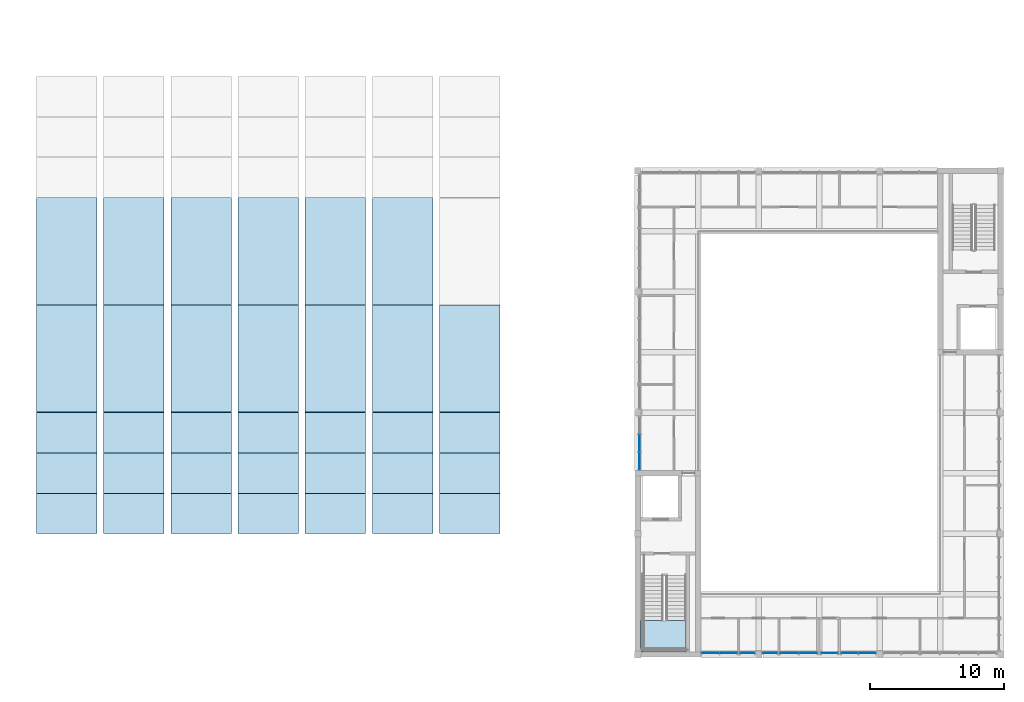
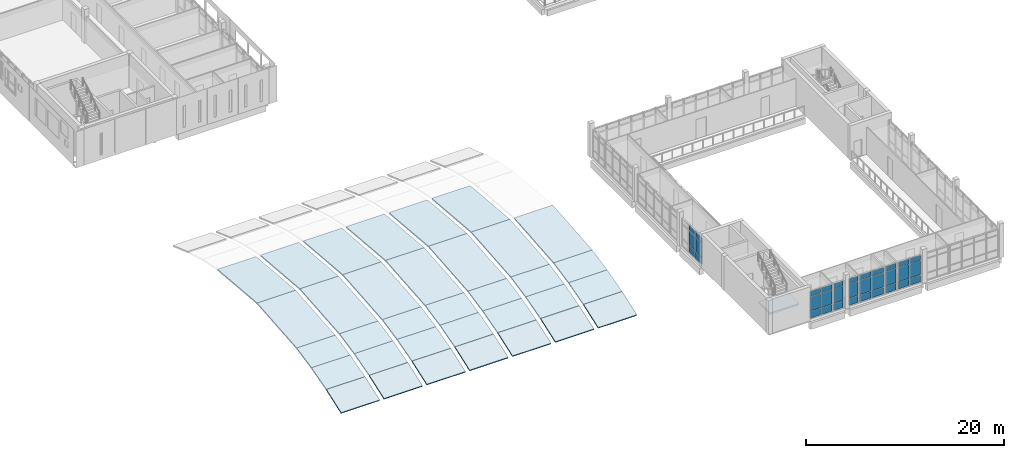
# One storey, part 30 of 74: 35 slabs, 33 plates, 8 elements without a shape of their own.
"""IFC4 building model written with IfcOpenShell, lengths in metres."""

from ifc_helpers import new_model, si_unit, direction, frame, origin, origin_2d, place, context, subcontext, project, spatial, polyline, rectangle, outline, extrude, material, layer, layer_set, type_object, element, aggregate, save


model = new_model("IFC4")

# Units and contexts
model_context = context("Model", 3, precision=1e-05, world=origin(), true_north=direction((0.0, 1.0)))
body_context = subcontext(model_context, "Body", "Model", "MODEL_VIEW")
ifc_project = project(units=[si_unit("LENGTHUNIT", "METRE"), si_unit("AREAUNIT", "SQUARE_METRE"), si_unit("VOLUMEUNIT", "CUBIC_METRE"), si_unit("PLANEANGLEUNIT", "RADIAN"), si_unit("MASSUNIT", "GRAM", prefix="KILO")], contexts=[model_context])

# Site, building, storey
site_placement = place(None, origin())
site = spatial("IfcSite", under=ifc_project, at=site_placement, CompositionType="ELEMENT")
building_placement = place(site_placement, origin())
building = spatial("IfcBuilding", under=site, at=building_placement, Name="Merrow Basin Faculty of Sciences", CompositionType="ELEMENT")
storey_placement = place(building_placement, frame((0.0, 0.0, 13.5)))
storey = spatial("IfcBuildingStorey", under=building, at=storey_placement, Name="L03", CompositionType="ELEMENT", Elevation=13.5)

# Curtain wall, plates
ifc_material_1 = material(Name="Aluminium alloy 6063", Category="aluminium")
curtain_wall_type = type_object("IfcCurtainWallType", Name="Atrium unitised curtain wall 240", PredefinedType="NOTDEFINED", material=ifc_material_1)
curtain_wall_1_placement = place(storey_placement, origin())
curtain_wall_1 = element("IfcCurtainWall", 1, at=curtain_wall_1_placement, inside=storey, type_object=curtain_wall_type, Name="W curtain wall L03 1", PredefinedType="NOTDEFINED")
ifc_material_2 = material(Name="Low-E double glazing", Category="glass")
ifc_layer_1 = layer(ifc_material_2, 0.031982421875)
ifc_layer_set_1 = layer_set([ifc_layer_1], Name="Acoustic double glazed panel 32")
plate_type_1 = type_object("IfcPlateType", Name="Acoustic double glazed panel 32", PredefinedType="CURTAIN_PANEL", material=ifc_layer_set_1)
plate_1_placement = place(storey_placement, frame((45.1201171875, 14.389892578125, 0.93017578125), z_axis=(0.0, 0.0, 1.0), x_axis=(0.0, 1.0, 0.0)))
plate_1 = element("IfcPlate", 2, at=plate_1_placement, type_object=plate_type_1, Name="CW5 panel 1.2", PredefinedType="CURTAIN_PANEL", context=body_context, shape_type="SweptSolid", body=[
    extrude(rectangle(XDim=1.260009765625, YDim=0.031982421875, at=origin_2d()), origin(), (0.0, 0.0, 1.0), 1.739990234375),
])
plate_2_placement = place(storey_placement, frame((45.1201171875, 14.389892578125, 2.72998046875), z_axis=(0.0, 0.0, 1.0), x_axis=(0.0, 1.0, 0.0)))
plate_2 = element("IfcPlate", 3, at=plate_2_placement, type_object=plate_type_1, Name="CW5 panel 1.3", PredefinedType="CURTAIN_PANEL", context=body_context, shape_type="SweptSolid", body=[
    extrude(rectangle(XDim=1.260009765625, YDim=0.031982421875, at=origin_2d()), origin(), (0.0, 0.0, 1.0), 0.610107421875),
])
plate_3_placement = place(storey_placement, frame((45.1201171875, 15.72509765625, 0.93017578125), z_axis=(0.0, 0.0, 1.0), x_axis=(0.0, 1.0, 0.0)))
plate_3 = element("IfcPlate", 4, at=plate_3_placement, type_object=plate_type_1, Name="CW5 panel 2.2", PredefinedType="CURTAIN_PANEL", context=body_context, shape_type="SweptSolid", body=[
    extrude(rectangle(XDim=1.2900390625, YDim=0.031982421875, at=origin_2d()), origin(), (0.0, 0.0, 1.0), 1.739990234375),
])
plate_4_placement = place(storey_placement, frame((45.1201171875, 15.72509765625, 2.72998046875), z_axis=(0.0, 0.0, 1.0), x_axis=(0.0, 1.0, 0.0)))
plate_4 = element("IfcPlate", 5, at=plate_4_placement, type_object=plate_type_1, Name="CW5 panel 2.3", PredefinedType="CURTAIN_PANEL", context=body_context, shape_type="SweptSolid", body=[
    extrude(rectangle(XDim=1.2900390625, YDim=0.031982421875, at=origin_2d()), origin(), (0.0, 0.0, 1.0), 0.610107421875),
])

curtain_wall_2_placement = place(storey_placement, origin())
curtain_wall_2 = element("IfcCurtainWall", 6, at=curtain_wall_2_placement, inside=storey, type_object=curtain_wall_type, Name="S curtain wall L03 1", PredefinedType="NOTDEFINED")
plate_5_placement = place(storey_placement, frame((50.402587890625, 0.1201171875, 0.93017578125), z_axis=(0.0, 0.0, 1.0), x_axis=(1.0, 0.0, 0.0)))
plate_5 = element("IfcPlate", 7, at=plate_5_placement, type_object=plate_type_1, Name="CW5 panel 1.2", PredefinedType="CURTAIN_PANEL", context=body_context, shape_type="SweptSolid", body=[
    extrude(rectangle(XDim=1.284912109375, YDim=0.031982421875, at=origin_2d()), origin(), (0.0, 0.0, 1.0), 1.739990234375),
])
plate_6_placement = place(storey_placement, frame((50.402587890625, 0.1201171875, 2.72998046875), z_axis=(0.0, 0.0, 1.0), x_axis=(1.0, 0.0, 0.0)))
plate_6 = element("IfcPlate", 8, at=plate_6_placement, type_object=plate_type_1, Name="CW5 panel 1.3", PredefinedType="CURTAIN_PANEL", context=body_context, shape_type="SweptSolid", body=[
    extrude(rectangle(XDim=1.284912109375, YDim=0.031982421875, at=origin_2d()), origin(), (0.0, 0.0, 1.0), 0.610107421875),
])
plate_7_placement = place(storey_placement, frame((51.74755859375, 0.1201171875, 0.93017578125), z_axis=(0.0, 0.0, 1.0), x_axis=(1.0, 0.0, 0.0)))
plate_7 = element("IfcPlate", 9, at=plate_7_placement, type_object=plate_type_1, Name="CW5 panel 2.2", PredefinedType="CURTAIN_PANEL", context=body_context, shape_type="SweptSolid", body=[
    extrude(rectangle(XDim=1.284912109375, YDim=0.031982421875, at=origin_2d()), origin(), (0.0, 0.0, 1.0), 1.739990234375),
])
plate_8_placement = place(storey_placement, frame((51.74755859375, 0.1201171875, 2.72998046875), z_axis=(0.0, 0.0, 1.0), x_axis=(1.0, 0.0, 0.0)))
plate_8 = element("IfcPlate", 10, at=plate_8_placement, type_object=plate_type_1, Name="CW5 panel 2.3", PredefinedType="CURTAIN_PANEL", context=body_context, shape_type="SweptSolid", body=[
    extrude(rectangle(XDim=1.284912109375, YDim=0.031982421875, at=origin_2d()), origin(), (0.0, 0.0, 1.0), 0.610107421875),
])

curtain_wall_3_placement = place(storey_placement, origin())
curtain_wall_3 = element("IfcCurtainWall", 11, at=curtain_wall_3_placement, inside=storey, type_object=curtain_wall_type, Name="S curtain wall L03 2", PredefinedType="NOTDEFINED")
plate_9_placement = place(storey_placement, frame((53.14990234375, 0.1201171875, 0.93017578125), z_axis=(0.0, 0.0, 1.0), x_axis=(1.0, 0.0, 0.0)))
plate_9 = element("IfcPlate", 12, at=plate_9_placement, type_object=plate_type_1, Name="CW5 panel 1.2", PredefinedType="CURTAIN_PANEL", context=body_context, shape_type="SweptSolid", body=[
    extrude(rectangle(XDim=1.080078125, YDim=0.031982421875, at=origin_2d()), origin(), (0.0, 0.0, 1.0), 1.739990234375),
])
plate_10_placement = place(storey_placement, frame((53.14990234375, 0.1201171875, 2.72998046875), z_axis=(0.0, 0.0, 1.0), x_axis=(1.0, 0.0, 0.0)))
plate_10 = element("IfcPlate", 13, at=plate_10_placement, type_object=plate_type_1, Name="CW5 panel 1.3", PredefinedType="CURTAIN_PANEL", context=body_context, shape_type="SweptSolid", body=[
    extrude(rectangle(XDim=1.080078125, YDim=0.031982421875, at=origin_2d()), origin(), (0.0, 0.0, 1.0), 0.610107421875),
])

curtain_wall_4_placement = place(storey_placement, origin())
curtain_wall_4 = element("IfcCurtainWall", 14, at=curtain_wall_4_placement, inside=storey, type_object=curtain_wall_type, Name="S curtain wall L03 3", PredefinedType="NOTDEFINED")
plate_11_placement = place(storey_placement, frame((54.85009765625, 0.1201171875, 0.93017578125), z_axis=(0.0, 0.0, 1.0), x_axis=(1.0, 0.0, 0.0)))
plate_11 = element("IfcPlate", 15, at=plate_11_placement, type_object=plate_type_1, Name="CW5 panel 1.2", PredefinedType="CURTAIN_PANEL", context=body_context, shape_type="SweptSolid", body=[
    extrude(rectangle(XDim=1.080078125, YDim=0.031982421875, at=origin_2d()), origin(), (0.0, 0.0, 1.0), 1.739990234375),
])
plate_12_placement = place(storey_placement, frame((54.85009765625, 0.1201171875, 2.72998046875), z_axis=(0.0, 0.0, 1.0), x_axis=(1.0, 0.0, 0.0)))
plate_12 = element("IfcPlate", 16, at=plate_12_placement, type_object=plate_type_1, Name="CW5 panel 1.3", PredefinedType="CURTAIN_PANEL", context=body_context, shape_type="SweptSolid", body=[
    extrude(rectangle(XDim=1.080078125, YDim=0.031982421875, at=origin_2d()), origin(), (0.0, 0.0, 1.0), 0.610107421875),
])

curtain_wall_5_placement = place(storey_placement, origin())
curtain_wall_5 = element("IfcCurtainWall", 17, at=curtain_wall_5_placement, inside=storey, type_object=curtain_wall_type, Name="S curtain wall L03 4", PredefinedType="NOTDEFINED")
plate_13_placement = place(storey_placement, frame((56.28369140625, 0.1201171875, 0.93017578125), z_axis=(0.0, 0.0, 1.0), x_axis=(1.0, 0.0, 0.0)))
plate_13 = element("IfcPlate", 18, at=plate_13_placement, type_object=plate_type_1, Name="CW5 panel 1.2", PredefinedType="CURTAIN_PANEL", context=body_context, shape_type="SweptSolid", body=[
    extrude(rectangle(XDim=1.347412109375, YDim=0.031982421875, at=origin_2d()), origin(), (0.0, 0.0, 1.0), 1.739990234375),
])
plate_14_placement = place(storey_placement, frame((56.28369140625, 0.1201171875, 2.72998046875), z_axis=(0.0, 0.0, 1.0), x_axis=(1.0, 0.0, 0.0)))
plate_14 = element("IfcPlate", 19, at=plate_14_placement, type_object=plate_type_1, Name="CW5 panel 1.3", PredefinedType="CURTAIN_PANEL", context=body_context, shape_type="SweptSolid", body=[
    extrude(rectangle(XDim=1.347412109375, YDim=0.031982421875, at=origin_2d()), origin(), (0.0, 0.0, 1.0), 0.610107421875),
])
plate_15_placement = place(storey_placement, frame((57.691162109375, 0.1201171875, 0.93017578125), z_axis=(0.0, 0.0, 1.0), x_axis=(1.0, 0.0, 0.0)))
plate_15 = element("IfcPlate", 20, at=plate_15_placement, type_object=plate_type_1, Name="CW5 panel 2.2", PredefinedType="CURTAIN_PANEL", context=body_context, shape_type="SweptSolid", body=[
    extrude(rectangle(XDim=1.347412109375, YDim=0.031982421875, at=origin_2d()), origin(), (0.0, 0.0, 1.0), 1.739990234375),
])
plate_16_placement = place(storey_placement, frame((57.691162109375, 0.1201171875, 2.72998046875), z_axis=(0.0, 0.0, 1.0), x_axis=(1.0, 0.0, 0.0)))
plate_16 = element("IfcPlate", 21, at=plate_16_placement, type_object=plate_type_1, Name="CW5 panel 2.3", PredefinedType="CURTAIN_PANEL", context=body_context, shape_type="SweptSolid", body=[
    extrude(rectangle(XDim=1.347412109375, YDim=0.031982421875, at=origin_2d()), origin(), (0.0, 0.0, 1.0), 0.610107421875),
])

curtain_wall_6_placement = place(storey_placement, origin())
curtain_wall_6 = element("IfcCurtainWall", 22, at=curtain_wall_6_placement, inside=storey, type_object=curtain_wall_type, Name="S curtain wall L03 5", PredefinedType="NOTDEFINED")
plate_17_placement = place(storey_placement, frame((59.25, 0.1201171875, 0.93017578125), z_axis=(0.0, 0.0, 1.0), x_axis=(1.0, 0.0, 0.0)))
plate_17 = element("IfcPlate", 23, at=plate_17_placement, type_object=plate_type_1, Name="CW5 panel 1.2", PredefinedType="CURTAIN_PANEL", context=body_context, shape_type="SweptSolid", body=[
    extrude(rectangle(XDim=1.22998046875, YDim=0.031982421875, at=origin_2d()), origin(), (0.0, 0.0, 1.0), 1.739990234375),
])
plate_18_placement = place(storey_placement, frame((59.25, 0.1201171875, 2.72998046875), z_axis=(0.0, 0.0, 1.0), x_axis=(1.0, 0.0, 0.0)))
plate_18 = element("IfcPlate", 24, at=plate_18_placement, type_object=plate_type_1, Name="CW5 panel 1.3", PredefinedType="CURTAIN_PANEL", context=body_context, shape_type="SweptSolid", body=[
    extrude(rectangle(XDim=1.22998046875, YDim=0.031982421875, at=origin_2d()), origin(), (0.0, 0.0, 1.0), 0.610107421875),
])

curtain_wall_7_placement = place(storey_placement, origin())
curtain_wall_7 = element("IfcCurtainWall", 25, at=curtain_wall_7_placement, inside=storey, type_object=curtain_wall_type, Name="S curtain wall L03 6", PredefinedType="NOTDEFINED")
plate_19_placement = place(storey_placement, frame((60.7587890625, 0.1201171875, 0.93017578125), z_axis=(0.0, 0.0, 1.0), x_axis=(1.0, 0.0, 0.0)))
plate_19 = element("IfcPlate", 26, at=plate_19_placement, type_object=plate_type_1, Name="CW5 panel 1.2", PredefinedType="CURTAIN_PANEL", context=body_context, shape_type="SweptSolid", body=[
    extrude(rectangle(XDim=1.24755859375, YDim=0.031982421875, at=origin_2d()), origin(), (0.0, 0.0, 1.0), 1.739990234375),
])
plate_20_placement = place(storey_placement, frame((60.7587890625, 0.1201171875, 2.72998046875), z_axis=(0.0, 0.0, 1.0), x_axis=(1.0, 0.0, 0.0)))
plate_20 = element("IfcPlate", 27, at=plate_20_placement, type_object=plate_type_1, Name="CW5 panel 1.3", PredefinedType="CURTAIN_PANEL", context=body_context, shape_type="SweptSolid", body=[
    extrude(rectangle(XDim=1.24755859375, YDim=0.031982421875, at=origin_2d()), origin(), (0.0, 0.0, 1.0), 0.610107421875),
])
plate_21_placement = place(storey_placement, frame((62.066162109375, 0.1201171875, 0.93017578125), z_axis=(0.0, 0.0, 1.0), x_axis=(1.0, 0.0, 0.0)))
plate_21 = element("IfcPlate", 28, at=plate_21_placement, type_object=plate_type_1, Name="CW5 panel 2.2", PredefinedType="CURTAIN_PANEL", context=body_context, shape_type="SweptSolid", body=[
    extrude(rectangle(XDim=1.24755859375, YDim=0.031982421875, at=origin_2d()), origin(), (0.0, 0.0, 1.0), 1.739990234375),
])
plate_22_placement = place(storey_placement, frame((62.066162109375, 0.1201171875, 2.72998046875), z_axis=(0.0, 0.0, 1.0), x_axis=(1.0, 0.0, 0.0)))
plate_22 = element("IfcPlate", 29, at=plate_22_placement, type_object=plate_type_1, Name="CW5 panel 2.3", PredefinedType="CURTAIN_PANEL", context=body_context, shape_type="SweptSolid", body=[
    extrude(rectangle(XDim=1.24755859375, YDim=0.031982421875, at=origin_2d()), origin(), (0.0, 0.0, 1.0), 0.610107421875),
])

# Plate
ifc_material_3 = material(Name="Insulated aluminium spandrel panel", Category="aluminium")
ifc_layer_2 = layer(ifc_material_3, 0.052001953125)
ifc_layer_set_2 = layer_set([ifc_layer_2], Name="Insulated spandrel panel 52")
plate_type_2 = type_object("IfcPlateType", Name="Insulated spandrel panel 52", PredefinedType="CURTAIN_PANEL", material=ifc_layer_set_2)
plate_23_placement = place(storey_placement, frame((45.1201171875, 14.389892578125, 0.06005859375), z_axis=(0.0, 0.0, 1.0), x_axis=(0.0, 1.0, 0.0)))
plate_23 = element("IfcPlate", 30, at=plate_23_placement, type_object=plate_type_2, Name="CW5 panel 1.1", PredefinedType="CURTAIN_PANEL", context=body_context, shape_type="SweptSolid", body=[
    extrude(rectangle(XDim=1.260009765625, YDim=0.052001953125, at=origin_2d()), origin(), (0.0, 0.0, 1.0), 0.81005859375),
])

plate_24_placement = place(storey_placement, frame((45.1201171875, 15.72509765625, 0.06005859375), z_axis=(0.0, 0.0, 1.0), x_axis=(0.0, 1.0, 0.0)))
plate_24 = element("IfcPlate", 31, at=plate_24_placement, type_object=plate_type_2, Name="CW5 panel 2.1", PredefinedType="CURTAIN_PANEL", context=body_context, shape_type="SweptSolid", body=[
    extrude(rectangle(XDim=1.2900390625, YDim=0.052001953125, at=origin_2d()), origin(), (0.0, 0.0, 1.0), 0.81005859375),
])

aggregate(curtain_wall_1, [plate_23, plate_1, plate_2, plate_24, plate_3, plate_4])

plate_25_placement = place(storey_placement, frame((50.402587890625, 0.1201171875, 0.06005859375), z_axis=(0.0, 0.0, 1.0), x_axis=(1.0, 0.0, 0.0)))
plate_25 = element("IfcPlate", 32, at=plate_25_placement, type_object=plate_type_2, Name="CW5 panel 1.1", PredefinedType="CURTAIN_PANEL", context=body_context, shape_type="SweptSolid", body=[
    extrude(rectangle(XDim=1.284912109375, YDim=0.052001953125, at=origin_2d()), origin(), (0.0, 0.0, 1.0), 0.81005859375),
])

plate_26_placement = place(storey_placement, frame((51.74755859375, 0.1201171875, 0.06005859375), z_axis=(0.0, 0.0, 1.0), x_axis=(1.0, 0.0, 0.0)))
plate_26 = element("IfcPlate", 33, at=plate_26_placement, type_object=plate_type_2, Name="CW5 panel 2.1", PredefinedType="CURTAIN_PANEL", context=body_context, shape_type="SweptSolid", body=[
    extrude(rectangle(XDim=1.284912109375, YDim=0.052001953125, at=origin_2d()), origin(), (0.0, 0.0, 1.0), 0.81005859375),
])

aggregate(curtain_wall_2, [plate_25, plate_5, plate_6, plate_26, plate_7, plate_8])

plate_27_placement = place(storey_placement, frame((53.14990234375, 0.1201171875, 0.06005859375), z_axis=(0.0, 0.0, 1.0), x_axis=(1.0, 0.0, 0.0)))
plate_27 = element("IfcPlate", 34, at=plate_27_placement, type_object=plate_type_2, Name="CW5 panel 1.1", PredefinedType="CURTAIN_PANEL", context=body_context, shape_type="SweptSolid", body=[
    extrude(rectangle(XDim=1.080078125, YDim=0.052001953125, at=origin_2d()), origin(), (0.0, 0.0, 1.0), 0.81005859375),
])

aggregate(curtain_wall_3, [plate_27, plate_9, plate_10])

plate_28_placement = place(storey_placement, frame((54.85009765625, 0.1201171875, 0.06005859375), z_axis=(0.0, 0.0, 1.0), x_axis=(1.0, 0.0, 0.0)))
plate_28 = element("IfcPlate", 35, at=plate_28_placement, type_object=plate_type_2, Name="CW5 panel 1.1", PredefinedType="CURTAIN_PANEL", context=body_context, shape_type="SweptSolid", body=[
    extrude(rectangle(XDim=1.080078125, YDim=0.052001953125, at=origin_2d()), origin(), (0.0, 0.0, 1.0), 0.81005859375),
])

aggregate(curtain_wall_4, [plate_28, plate_11, plate_12])

plate_29_placement = place(storey_placement, frame((56.28369140625, 0.1201171875, 0.06005859375), z_axis=(0.0, 0.0, 1.0), x_axis=(1.0, 0.0, 0.0)))
plate_29 = element("IfcPlate", 36, at=plate_29_placement, type_object=plate_type_2, Name="CW5 panel 1.1", PredefinedType="CURTAIN_PANEL", context=body_context, shape_type="SweptSolid", body=[
    extrude(rectangle(XDim=1.347412109375, YDim=0.052001953125, at=origin_2d()), origin(), (0.0, 0.0, 1.0), 0.81005859375),
])

plate_30_placement = place(storey_placement, frame((57.691162109375, 0.1201171875, 0.06005859375), z_axis=(0.0, 0.0, 1.0), x_axis=(1.0, 0.0, 0.0)))
plate_30 = element("IfcPlate", 37, at=plate_30_placement, type_object=plate_type_2, Name="CW5 panel 2.1", PredefinedType="CURTAIN_PANEL", context=body_context, shape_type="SweptSolid", body=[
    extrude(rectangle(XDim=1.347412109375, YDim=0.052001953125, at=origin_2d()), origin(), (0.0, 0.0, 1.0), 0.81005859375),
])

aggregate(curtain_wall_5, [plate_29, plate_13, plate_14, plate_30, plate_15, plate_16])

plate_31_placement = place(storey_placement, frame((59.25, 0.1201171875, 0.06005859375), z_axis=(0.0, 0.0, 1.0), x_axis=(1.0, 0.0, 0.0)))
plate_31 = element("IfcPlate", 38, at=plate_31_placement, type_object=plate_type_2, Name="CW5 panel 1.1", PredefinedType="CURTAIN_PANEL", context=body_context, shape_type="SweptSolid", body=[
    extrude(rectangle(XDim=1.22998046875, YDim=0.052001953125, at=origin_2d()), origin(), (0.0, 0.0, 1.0), 0.81005859375),
])

aggregate(curtain_wall_6, [plate_31, plate_17, plate_18])

plate_32_placement = place(storey_placement, frame((60.7587890625, 0.1201171875, 0.06005859375), z_axis=(0.0, 0.0, 1.0), x_axis=(1.0, 0.0, 0.0)))
plate_32 = element("IfcPlate", 39, at=plate_32_placement, type_object=plate_type_2, Name="CW5 panel 1.1", PredefinedType="CURTAIN_PANEL", context=body_context, shape_type="SweptSolid", body=[
    extrude(rectangle(XDim=1.24755859375, YDim=0.052001953125, at=origin_2d()), origin(), (0.0, 0.0, 1.0), 0.81005859375),
])

plate_33_placement = place(storey_placement, frame((62.066162109375, 0.1201171875, 0.06005859375), z_axis=(0.0, 0.0, 1.0), x_axis=(1.0, 0.0, 0.0)))
plate_33 = element("IfcPlate", 40, at=plate_33_placement, type_object=plate_type_2, Name="CW5 panel 2.1", PredefinedType="CURTAIN_PANEL", context=body_context, shape_type="SweptSolid", body=[
    extrude(rectangle(XDim=1.24755859375, YDim=0.052001953125, at=origin_2d()), origin(), (0.0, 0.0, 1.0), 0.81005859375),
])

aggregate(curtain_wall_7, [plate_32, plate_19, plate_20, plate_33, plate_21, plate_22])

# Slabs
ifc_material_4 = material(Name="Concrete C50/60", Category="concrete")
ifc_layer_3 = layer(ifc_material_4, 0.14990234375)
ifc_layer_set_3 = layer_set([ifc_layer_3], Name="Shell strip 150 Concrete C50/60")
slab_type_1 = type_object("IfcSlabType", Name="Shell strip 150 Concrete C50/60", PredefinedType="ROOF", material=ifc_layer_set_3)
slab_1_placement = place(storey_placement, frame((0.25, 9.0, 0.36962890625), z_axis=(0.0, -0.334256016582, 0.942482315685), x_axis=(1.0, 0.0, 0.0)))
element("IfcSlab", 41, at=slab_1_placement, inside=storey, type_object=slab_type_1, Name="Shell strip 1.4", PredefinedType="ROOF", context=body_context, shape_type="SweptSolid", body=[
    extrude(outline(polyline([(0.0, 0.0), (4.5, 0.0), (4.5, 3.183083597509805), (0.0, 3.183083597509805), (0.0, 0.0)])), origin(), (0.0, 0.0, -1.0), 0.14990234375),
])
slab_2_placement = place(storey_placement, frame((0.25, 12.0, 1.43359375), z_axis=(0.0, -0.269583416439, 0.962977041046), x_axis=(1.0, 0.0, 0.0)))
element("IfcSlab", 42, at=slab_2_placement, inside=storey, type_object=slab_type_1, Name="Shell strip 1.5", PredefinedType="ROOF", context=body_context, shape_type="SweptSolid", body=[
    extrude(outline(polyline([(0.0, 0.0), (4.5, 0.0), (4.5, 3.1153390705369555), (0.0, 3.1153390705369555), (0.0, 0.0)])), origin(), (0.0, 0.0, -1.0), 0.14990234375),
])
slab_3_placement = place(storey_placement, frame((0.25, 15.0, 2.2734375), z_axis=(0.0, -0.204870252821, 0.978789139452), x_axis=(1.0, 0.0, 0.0)))
element("IfcSlab", 43, at=slab_3_placement, inside=storey, type_object=slab_type_1, Name="Shell strip 1.6", PredefinedType="ROOF", context=body_context, shape_type="SweptSolid", body=[
    extrude(outline(polyline([(0.0, 0.0), (4.5, 0.0), (4.5, 3.065011532187741), (0.0, 3.065011532187741), (0.0, 0.0)])), origin(), (0.0, 0.0, -1.0), 0.14990234375),
])
for number, where, z_axis, x_axis, name in (
    (44, (0.25, 18.0, 2.9013671875), (0.0, -0.08652728345, 0.996249481415), (1.0, 0.0, 0.0), "Shell strip 1.7"),
    (45, (0.25, 26.0, 3.59619140625), (0.0, 0.08652728345, 0.996249481415), (1.0, 0.0, 0.0), "Shell strip 1.8"),
):
    element("IfcSlab", number, at=place(storey_placement, frame(where, z_axis=z_axis, x_axis=x_axis)), inside=storey, type_object=slab_type_1, Name=name, PredefinedType="ROOF", context=body_context, shape_type="SweptSolid", body=[
        extrude(outline(polyline([(0.0, 0.0), (4.5, 0.0), (4.5, 8.03011710344012), (0.0, 8.03011710344012), (0.0, 0.0)])), origin(), (0.0, 0.0, -1.0), 0.14990234375),
    ])
slab_4_placement = place(storey_placement, frame((5.25, 9.0, 0.36962890625), z_axis=(0.0, -0.334256016582, 0.942482315685), x_axis=(1.0, 0.0, 0.0)))
element("IfcSlab", 46, at=slab_4_placement, inside=storey, type_object=slab_type_1, Name="Shell strip 2.4", PredefinedType="ROOF", context=body_context, shape_type="SweptSolid", body=[
    extrude(outline(polyline([(0.0, 0.0), (4.5, 0.0), (4.5, 3.183083597509805), (0.0, 3.183083597509805), (0.0, 0.0)])), origin(), (0.0, 0.0, -1.0), 0.14990234375),
])
slab_5_placement = place(storey_placement, frame((5.25, 12.0, 1.43359375), z_axis=(0.0, -0.269583416439, 0.962977041046), x_axis=(1.0, 0.0, 0.0)))
element("IfcSlab", 47, at=slab_5_placement, inside=storey, type_object=slab_type_1, Name="Shell strip 2.5", PredefinedType="ROOF", context=body_context, shape_type="SweptSolid", body=[
    extrude(outline(polyline([(0.0, 0.0), (4.5, 0.0), (4.5, 3.1153390705369555), (0.0, 3.1153390705369555), (0.0, 0.0)])), origin(), (0.0, 0.0, -1.0), 0.14990234375),
])
slab_6_placement = place(storey_placement, frame((5.25, 15.0, 2.2734375), z_axis=(0.0, -0.204870252821, 0.978789139452), x_axis=(1.0, 0.0, 0.0)))
element("IfcSlab", 48, at=slab_6_placement, inside=storey, type_object=slab_type_1, Name="Shell strip 2.6", PredefinedType="ROOF", context=body_context, shape_type="SweptSolid", body=[
    extrude(outline(polyline([(0.0, 0.0), (4.5, 0.0), (4.5, 3.065011532187741), (0.0, 3.065011532187741), (0.0, 0.0)])), origin(), (0.0, 0.0, -1.0), 0.14990234375),
])
for number, where, z_axis, x_axis, name in (
    (49, (5.25, 18.0, 2.9013671875), (0.0, -0.08652728345, 0.996249481415), (1.0, 0.0, 0.0), "Shell strip 2.7"),
    (50, (5.25, 26.0, 3.59619140625), (0.0, 0.08652728345, 0.996249481415), (1.0, 0.0, 0.0), "Shell strip 2.8"),
):
    element("IfcSlab", number, at=place(storey_placement, frame(where, z_axis=z_axis, x_axis=x_axis)), inside=storey, type_object=slab_type_1, Name=name, PredefinedType="ROOF", context=body_context, shape_type="SweptSolid", body=[
        extrude(outline(polyline([(0.0, 0.0), (4.5, 0.0), (4.5, 8.03011710344012), (0.0, 8.03011710344012), (0.0, 0.0)])), origin(), (0.0, 0.0, -1.0), 0.14990234375),
    ])
slab_7_placement = place(storey_placement, frame((10.25, 9.0, 0.36962890625), z_axis=(0.0, -0.334256016582, 0.942482315685), x_axis=(1.0, 0.0, 0.0)))
element("IfcSlab", 51, at=slab_7_placement, inside=storey, type_object=slab_type_1, Name="Shell strip 3.4", PredefinedType="ROOF", context=body_context, shape_type="SweptSolid", body=[
    extrude(outline(polyline([(0.0, 0.0), (4.5, 0.0), (4.5, 3.183083597509805), (0.0, 3.183083597509805), (0.0, 0.0)])), origin(), (0.0, 0.0, -1.0), 0.14990234375),
])
slab_8_placement = place(storey_placement, frame((10.25, 12.0, 1.43359375), z_axis=(0.0, -0.269583416439, 0.962977041046), x_axis=(1.0, 0.0, 0.0)))
element("IfcSlab", 52, at=slab_8_placement, inside=storey, type_object=slab_type_1, Name="Shell strip 3.5", PredefinedType="ROOF", context=body_context, shape_type="SweptSolid", body=[
    extrude(outline(polyline([(0.0, 0.0), (4.5, 0.0), (4.5, 3.1153390705369555), (0.0, 3.1153390705369555), (0.0, 0.0)])), origin(), (0.0, 0.0, -1.0), 0.14990234375),
])
slab_9_placement = place(storey_placement, frame((10.25, 15.0, 2.2734375), z_axis=(0.0, -0.204870252821, 0.978789139452), x_axis=(1.0, 0.0, 0.0)))
element("IfcSlab", 53, at=slab_9_placement, inside=storey, type_object=slab_type_1, Name="Shell strip 3.6", PredefinedType="ROOF", context=body_context, shape_type="SweptSolid", body=[
    extrude(outline(polyline([(0.0, 0.0), (4.5, 0.0), (4.5, 3.065011532187741), (0.0, 3.065011532187741), (0.0, 0.0)])), origin(), (0.0, 0.0, -1.0), 0.14990234375),
])
for number, where, z_axis, x_axis, name in (
    (54, (10.25, 18.0, 2.9013671875), (0.0, -0.08652728345, 0.996249481415), (1.0, 0.0, 0.0), "Shell strip 3.7"),
    (55, (10.25, 26.0, 3.59619140625), (0.0, 0.08652728345, 0.996249481415), (1.0, 0.0, 0.0), "Shell strip 3.8"),
):
    element("IfcSlab", number, at=place(storey_placement, frame(where, z_axis=z_axis, x_axis=x_axis)), inside=storey, type_object=slab_type_1, Name=name, PredefinedType="ROOF", context=body_context, shape_type="SweptSolid", body=[
        extrude(outline(polyline([(0.0, 0.0), (4.5, 0.0), (4.5, 8.03011710344012), (0.0, 8.03011710344012), (0.0, 0.0)])), origin(), (0.0, 0.0, -1.0), 0.14990234375),
    ])
slab_10_placement = place(storey_placement, frame((15.25, 9.0, 0.36962890625), z_axis=(0.0, -0.334256016582, 0.942482315685), x_axis=(1.0, 0.0, 0.0)))
element("IfcSlab", 56, at=slab_10_placement, inside=storey, type_object=slab_type_1, Name="Shell strip 4.4", PredefinedType="ROOF", context=body_context, shape_type="SweptSolid", body=[
    extrude(outline(polyline([(0.0, 0.0), (4.5, 0.0), (4.5, 3.183083597509805), (0.0, 3.183083597509805), (0.0, 0.0)])), origin(), (0.0, 0.0, -1.0), 0.14990234375),
])
slab_11_placement = place(storey_placement, frame((15.25, 12.0, 1.43359375), z_axis=(0.0, -0.269583416439, 0.962977041046), x_axis=(1.0, 0.0, 0.0)))
element("IfcSlab", 57, at=slab_11_placement, inside=storey, type_object=slab_type_1, Name="Shell strip 4.5", PredefinedType="ROOF", context=body_context, shape_type="SweptSolid", body=[
    extrude(outline(polyline([(0.0, 0.0), (4.5, 0.0), (4.5, 3.1153390705369555), (0.0, 3.1153390705369555), (0.0, 0.0)])), origin(), (0.0, 0.0, -1.0), 0.14990234375),
])
slab_12_placement = place(storey_placement, frame((15.25, 15.0, 2.2734375), z_axis=(0.0, -0.204870252821, 0.978789139452), x_axis=(1.0, 0.0, 0.0)))
element("IfcSlab", 58, at=slab_12_placement, inside=storey, type_object=slab_type_1, Name="Shell strip 4.6", PredefinedType="ROOF", context=body_context, shape_type="SweptSolid", body=[
    extrude(outline(polyline([(0.0, 0.0), (4.5, 0.0), (4.5, 3.065011532187741), (0.0, 3.065011532187741), (0.0, 0.0)])), origin(), (0.0, 0.0, -1.0), 0.14990234375),
])
for number, where, z_axis, x_axis, name in (
    (59, (15.25, 18.0, 2.9013671875), (0.0, -0.08652728345, 0.996249481415), (1.0, 0.0, 0.0), "Shell strip 4.7"),
    (60, (15.25, 26.0, 3.59619140625), (0.0, 0.08652728345, 0.996249481415), (1.0, 0.0, 0.0), "Shell strip 4.8"),
):
    element("IfcSlab", number, at=place(storey_placement, frame(where, z_axis=z_axis, x_axis=x_axis)), inside=storey, type_object=slab_type_1, Name=name, PredefinedType="ROOF", context=body_context, shape_type="SweptSolid", body=[
        extrude(outline(polyline([(0.0, 0.0), (4.5, 0.0), (4.5, 8.03011710344012), (0.0, 8.03011710344012), (0.0, 0.0)])), origin(), (0.0, 0.0, -1.0), 0.14990234375),
    ])
slab_13_placement = place(storey_placement, frame((20.25, 9.0, 0.36962890625), z_axis=(0.0, -0.334256016582, 0.942482315685), x_axis=(1.0, 0.0, 0.0)))
element("IfcSlab", 61, at=slab_13_placement, inside=storey, type_object=slab_type_1, Name="Shell strip 5.4", PredefinedType="ROOF", context=body_context, shape_type="SweptSolid", body=[
    extrude(outline(polyline([(0.0, 0.0), (4.5, 0.0), (4.5, 3.183083597509805), (0.0, 3.183083597509805), (0.0, 0.0)])), origin(), (0.0, 0.0, -1.0), 0.14990234375),
])
slab_14_placement = place(storey_placement, frame((20.25, 12.0, 1.43359375), z_axis=(0.0, -0.269583416439, 0.962977041046), x_axis=(1.0, 0.0, 0.0)))
element("IfcSlab", 62, at=slab_14_placement, inside=storey, type_object=slab_type_1, Name="Shell strip 5.5", PredefinedType="ROOF", context=body_context, shape_type="SweptSolid", body=[
    extrude(outline(polyline([(0.0, 0.0), (4.5, 0.0), (4.5, 3.1153390705369555), (0.0, 3.1153390705369555), (0.0, 0.0)])), origin(), (0.0, 0.0, -1.0), 0.14990234375),
])
slab_15_placement = place(storey_placement, frame((20.25, 15.0, 2.2734375), z_axis=(0.0, -0.204870252821, 0.978789139452), x_axis=(1.0, 0.0, 0.0)))
element("IfcSlab", 63, at=slab_15_placement, inside=storey, type_object=slab_type_1, Name="Shell strip 5.6", PredefinedType="ROOF", context=body_context, shape_type="SweptSolid", body=[
    extrude(outline(polyline([(0.0, 0.0), (4.5, 0.0), (4.5, 3.065011532187741), (0.0, 3.065011532187741), (0.0, 0.0)])), origin(), (0.0, 0.0, -1.0), 0.14990234375),
])
for number, where, z_axis, x_axis, name in (
    (64, (20.25, 18.0, 2.9013671875), (0.0, -0.08652728345, 0.996249481415), (1.0, 0.0, 0.0), "Shell strip 5.7"),
    (65, (20.25, 26.0, 3.59619140625), (0.0, 0.08652728345, 0.996249481415), (1.0, 0.0, 0.0), "Shell strip 5.8"),
):
    element("IfcSlab", number, at=place(storey_placement, frame(where, z_axis=z_axis, x_axis=x_axis)), inside=storey, type_object=slab_type_1, Name=name, PredefinedType="ROOF", context=body_context, shape_type="SweptSolid", body=[
        extrude(outline(polyline([(0.0, 0.0), (4.5, 0.0), (4.5, 8.03011710344012), (0.0, 8.03011710344012), (0.0, 0.0)])), origin(), (0.0, 0.0, -1.0), 0.14990234375),
    ])
slab_16_placement = place(storey_placement, frame((25.25, 9.0, 0.36962890625), z_axis=(0.0, -0.334256016582, 0.942482315685), x_axis=(1.0, 0.0, 0.0)))
element("IfcSlab", 66, at=slab_16_placement, inside=storey, type_object=slab_type_1, Name="Shell strip 6.4", PredefinedType="ROOF", context=body_context, shape_type="SweptSolid", body=[
    extrude(outline(polyline([(0.0, 0.0), (4.5, 0.0), (4.5, 3.183083597509805), (0.0, 3.183083597509805), (0.0, 0.0)])), origin(), (0.0, 0.0, -1.0), 0.14990234375),
])
slab_17_placement = place(storey_placement, frame((25.25, 12.0, 1.43359375), z_axis=(0.0, -0.269583416439, 0.962977041046), x_axis=(1.0, 0.0, 0.0)))
element("IfcSlab", 67, at=slab_17_placement, inside=storey, type_object=slab_type_1, Name="Shell strip 6.5", PredefinedType="ROOF", context=body_context, shape_type="SweptSolid", body=[
    extrude(outline(polyline([(0.0, 0.0), (4.5, 0.0), (4.5, 3.1153390705369555), (0.0, 3.1153390705369555), (0.0, 0.0)])), origin(), (0.0, 0.0, -1.0), 0.14990234375),
])
slab_18_placement = place(storey_placement, frame((25.25, 15.0, 2.2734375), z_axis=(0.0, -0.204870252821, 0.978789139452), x_axis=(1.0, 0.0, 0.0)))
element("IfcSlab", 68, at=slab_18_placement, inside=storey, type_object=slab_type_1, Name="Shell strip 6.6", PredefinedType="ROOF", context=body_context, shape_type="SweptSolid", body=[
    extrude(outline(polyline([(0.0, 0.0), (4.5, 0.0), (4.5, 3.065011532187741), (0.0, 3.065011532187741), (0.0, 0.0)])), origin(), (0.0, 0.0, -1.0), 0.14990234375),
])
for number, where, z_axis, x_axis, name in (
    (69, (25.25, 18.0, 2.9013671875), (0.0, -0.08652728345, 0.996249481415), (1.0, 0.0, 0.0), "Shell strip 6.7"),
    (70, (25.25, 26.0, 3.59619140625), (0.0, 0.08652728345, 0.996249481415), (1.0, 0.0, 0.0), "Shell strip 6.8"),
):
    element("IfcSlab", number, at=place(storey_placement, frame(where, z_axis=z_axis, x_axis=x_axis)), inside=storey, type_object=slab_type_1, Name=name, PredefinedType="ROOF", context=body_context, shape_type="SweptSolid", body=[
        extrude(outline(polyline([(0.0, 0.0), (4.5, 0.0), (4.5, 8.03011710344012), (0.0, 8.03011710344012), (0.0, 0.0)])), origin(), (0.0, 0.0, -1.0), 0.14990234375),
    ])
slab_19_placement = place(storey_placement, frame((30.25, 9.0, 0.36962890625), z_axis=(0.0, -0.334256016582, 0.942482315685), x_axis=(1.0, 0.0, 0.0)))
element("IfcSlab", 71, at=slab_19_placement, inside=storey, type_object=slab_type_1, Name="Shell strip 7.4", PredefinedType="ROOF", context=body_context, shape_type="SweptSolid", body=[
    extrude(outline(polyline([(0.0, 0.0), (4.5, 0.0), (4.5, 3.183083597509805), (0.0, 3.183083597509805), (0.0, 0.0)])), origin(), (0.0, 0.0, -1.0), 0.14990234375),
])
slab_20_placement = place(storey_placement, frame((30.25, 12.0, 1.43359375), z_axis=(0.0, -0.269583416439, 0.962977041046), x_axis=(1.0, 0.0, 0.0)))
element("IfcSlab", 72, at=slab_20_placement, inside=storey, type_object=slab_type_1, Name="Shell strip 7.5", PredefinedType="ROOF", context=body_context, shape_type="SweptSolid", body=[
    extrude(outline(polyline([(0.0, 0.0), (4.5, 0.0), (4.5, 3.1153390705369555), (0.0, 3.1153390705369555), (0.0, 0.0)])), origin(), (0.0, 0.0, -1.0), 0.14990234375),
])
slab_21_placement = place(storey_placement, frame((30.25, 15.0, 2.2734375), z_axis=(0.0, -0.204870252821, 0.978789139452), x_axis=(1.0, 0.0, 0.0)))
element("IfcSlab", 73, at=slab_21_placement, inside=storey, type_object=slab_type_1, Name="Shell strip 7.6", PredefinedType="ROOF", context=body_context, shape_type="SweptSolid", body=[
    extrude(outline(polyline([(0.0, 0.0), (4.5, 0.0), (4.5, 3.065011532187741), (0.0, 3.065011532187741), (0.0, 0.0)])), origin(), (0.0, 0.0, -1.0), 0.14990234375),
])
slab_22_placement = place(storey_placement, frame((30.25, 18.0, 2.9013671875), z_axis=(0.0, -0.08652728345, 0.996249481415), x_axis=(1.0, 0.0, 0.0)))
element("IfcSlab", 74, at=slab_22_placement, inside=storey, type_object=slab_type_1, Name="Shell strip 7.7", PredefinedType="ROOF", context=body_context, shape_type="SweptSolid", body=[
    extrude(outline(polyline([(0.0, 0.0), (4.5, 0.0), (4.5, 8.03011710344012), (0.0, 8.03011710344012), (0.0, 0.0)])), origin(), (0.0, 0.0, -1.0), 0.14990234375),
])

# Stair, slab
ifc_material_5 = material(Name="Concrete C40/50", Category="concrete")
stair_type = type_object("IfcStairType", Name="Concrete dog-leg stair Concrete C40/50", PredefinedType="HALF_TURN_STAIR", material=ifc_material_5)
stair_placement = place(storey_placement, origin())
stair = element("IfcStair", 75, at=stair_placement, inside=storey, type_object=stair_type, Name="L03 Exit stair W", PredefinedType="HALF_TURN_STAIR")
ifc_material_6 = material(Name="Concrete C40/50", Category="concrete")
ifc_layer_4 = layer(ifc_material_6, 0.199951171875)
ifc_layer_set_4 = layer_set([ifc_layer_4], Name="Stair landing 200 Concrete C40/50")
slab_type_2 = type_object("IfcSlabType", Name="Stair landing 200 Concrete C40/50", PredefinedType="LANDING", material=ifc_layer_set_4)
slab_23_placement = place(storey_placement, frame((0.0, 0.0, 2.050048828125)))
slab_23 = element("IfcSlab", 76, at=slab_23_placement, type_object=slab_type_2, Name="ST-V3-W landing 1", PredefinedType="LANDING", context=body_context, shape_type="SweptSolid", body=[
    extrude(outline(polyline([(45.199951171875, 0.199951171875), (48.60009765625, 0.199951171875), (48.60009765625, 2.5400390625), (45.199951171875, 2.5400390625), (45.199951171875, 0.199951171875)])), origin(), (0.0, 0.0, 1.0), 0.199951171875),
])
aggregate(stair, [slab_23])

save(model, "model.ifc")
